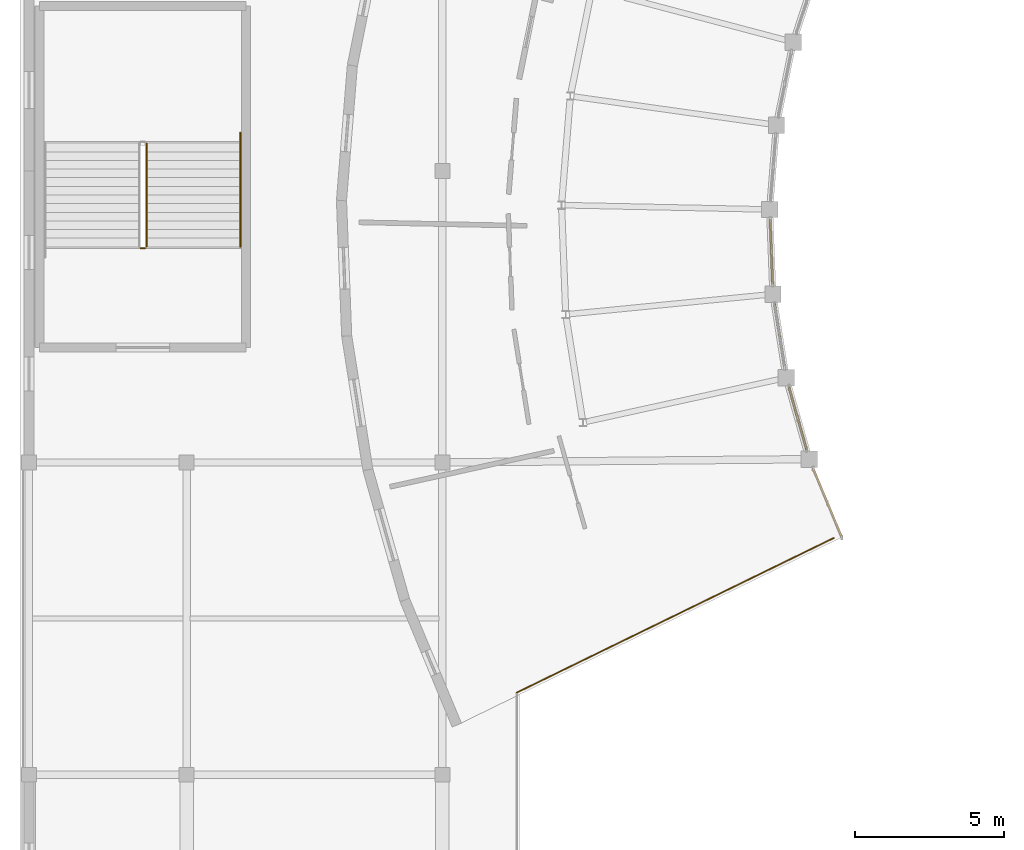
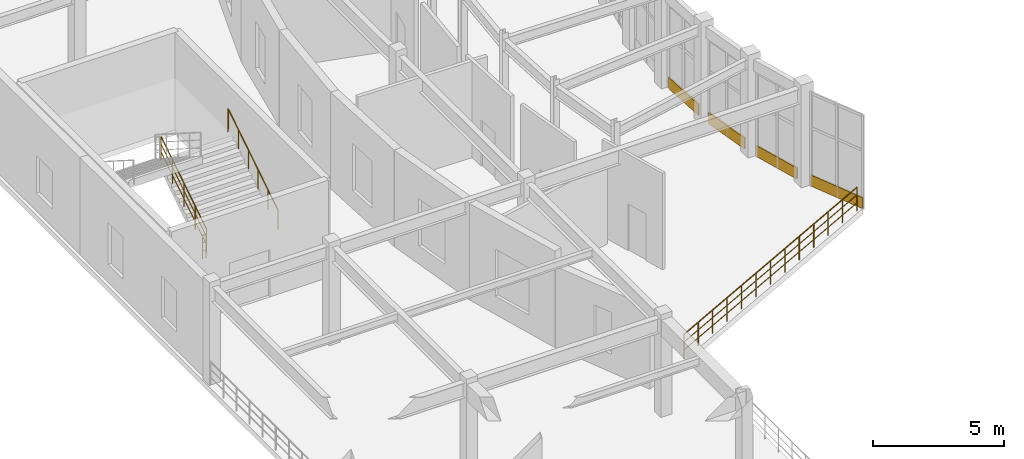
# One storey, part 132 of 144: 4 coverings, 4 railings.
"""IFC4 building model written with IfcOpenShell, lengths in metres."""

from ifc_helpers import new_model, si_unit, direction, frame, origin, origin_2d, place, context, subcontext, project, spatial, rectangle, circle, extrude, material, layer, layer_set, type_object, element, save


model = new_model("IFC4")

# Units and contexts
model_context = context("Model", 3, precision=1e-05, world=origin(), true_north=direction((0.0, 1.0)))
body_context = subcontext(model_context, "Body", "Model", "MODEL_VIEW")
ifc_project = project(units=[si_unit("LENGTHUNIT", "METRE"), si_unit("AREAUNIT", "SQUARE_METRE"), si_unit("VOLUMEUNIT", "CUBIC_METRE"), si_unit("PLANEANGLEUNIT", "RADIAN"), si_unit("MASSUNIT", "GRAM", prefix="KILO")], contexts=[model_context])

# Site, building, storey
site_placement = place(None, origin())
site = spatial("IfcSite", under=ifc_project, at=site_placement, CompositionType="ELEMENT")
building_placement = place(site_placement, origin())
building = spatial("IfcBuilding", under=site, at=building_placement, Name="Cinderbank Siding Concert Hall", CompositionType="ELEMENT")
storey_placement = place(building_placement, frame((0.0, 0.0, 5.39990234375)))
storey = spatial("IfcBuildingStorey", under=building, at=storey_placement, Name="L02", CompositionType="ELEMENT", Elevation=5.39990234375)

# Coverings
ifc_material_1 = material(Name="Spotted gum glulam timber GL18 (42 MPa)", Category="wood")
ifc_layer = layer(ifc_material_1, 0.06494140625)
ifc_layer_set = layer_set([ifc_layer], Name="Spotted gum glulam timber GL18 (42 MPa)")
covering_type = type_object("IfcCoveringType", Name="CL-01 Spotted Gum Spandrel Band 520mm", PredefinedType="CLADDING", material=ifc_layer_set)
for number, where, z_axis, x_axis, name in (
    (1, (32.059814453125, 67.080322265625, 0.0), (0.0, 0.0, 1.0), (0.038360270672, -0.99926397395, 0.0), "CW-L02-119 Spotted Gum Spandrel Band"),
    (2, (32.337158203125, 64.252197265625, 0.0), (0.0, 0.0, 1.0), (0.156464041899, -0.987683655627, 0.0), "CW-L02-120 Spotted Gum Spandrel Band"),
    (3, (32.947509765625, 61.476806640625, 0.0), (0.0, 0.0, 1.0), (0.272275215509, -0.962219417295, 0.0), "CW-L02-121 Spotted Gum Spandrel Band"),
):
    element("IfcCovering", number, at=place(storey_placement, frame(where, z_axis=z_axis, x_axis=x_axis)), inside=storey, type_object=covering_type, Name=name, PredefinedType="CLADDING", context=body_context, shape_type="SweptSolid", body=[
        extrude(rectangle(XDim=2.166748046875, YDim=0.06494140625, at=origin_2d()), origin(), (0.0, 0.0, 1.0), 0.52001953125),
    ])
covering_placement = place(storey_placement, frame((33.947265625, 58.63623046875, 0.0), z_axis=(0.0, 0.0, 1.0), x_axis=(0.384273632219, -0.923219245673, 0.0)))
element("IfcCovering", 4, at=covering_placement, inside=storey, type_object=covering_type, Name="CW-L02-122 Spotted Gum Spandrel Band", PredefinedType="CLADDING", context=body_context, shape_type="SweptSolid", body=[
    extrude(rectangle(XDim=2.506591796875, YDim=0.06494140625, at=origin_2d()), origin(), (0.0, 0.0, 1.0), 0.52001953125),
])

# Railings
ifc_material_2 = material(Name="Structural steel AS/NZS 3679.1 Grade 350 (340 MPa)", Category="steel")
railing_type_1 = type_object("IfcRailingType", Name="GD-01 Terrace & Perimeter Guardrail 1120mm", PredefinedType="GUARDRAIL", material=ifc_material_2)
railing_1_placement = place(storey_placement, frame((34.15625, 57.45751953125, 0.0)))
element("IfcRailing", 5, at=railing_1_placement, inside=storey, type_object=railing_type_1, Name="L02 Perimeter Guardrail #48", PredefinedType="GUARDRAIL", context=body_context, shape_type="SweptSolid", body=[
    extrude(circle(Radius=0.02392578125, at=origin_2d()), frame((0.0, 0.0, 1.09619140625), z_axis=(-0.898790411729, -0.438378598683, 0.0), x_axis=(0.438378598683, -0.898790411729, 0.0)), (0.0, 0.0, 1.0), 11.856201171875),
    extrude(circle(Radius=0.01611328125, at=origin_2d()), frame((0.0, 0.0, 0.36962890625), z_axis=(-0.898790411729, -0.438378598683, 0.0), x_axis=(0.438378598683, -0.898790411729, 0.0)), (0.0, 0.0, 1.0), 11.856201171875),
    extrude(circle(Radius=0.01611328125, at=origin_2d()), frame((0.0, 0.0, 0.7392578125), z_axis=(-0.898790411729, -0.438378598683, 0.0), x_axis=(0.438378598683, -0.898790411729, 0.0)), (0.0, 0.0, 1.0), 11.856201171875),
    extrude(circle(Radius=0.02099609375, at=origin_2d()), origin(), (0.0, 0.0, 1.0), 1.072021484375),
    extrude(circle(Radius=0.02099609375, at=origin_2d()), frame((-0.887939453125, -0.43310546875, 0.0)), (0.0, 0.0, 1.0), 1.072021484375),
    extrude(circle(Radius=0.02099609375, at=origin_2d()), frame((-1.776123046875, -0.8662109375, 0.0)), (0.0, 0.0, 1.0), 1.072021484375),
    extrude(circle(Radius=0.02099609375, at=origin_2d()), frame((-2.6640625, -1.29931640625, 0.0)), (0.0, 0.0, 1.0), 1.072021484375),
    extrude(circle(Radius=0.02099609375, at=origin_2d()), frame((-3.552001953125, -1.732421875, 0.0)), (0.0, 0.0, 1.0), 1.072021484375),
    extrude(circle(Radius=0.02099609375, at=origin_2d()), frame((-4.440185546875, -2.16552734375, 0.0)), (0.0, 0.0, 1.0), 1.072021484375),
    extrude(circle(Radius=0.02099609375, at=origin_2d()), frame((-5.328125, -2.5986328125, 0.0)), (0.0, 0.0, 1.0), 1.072021484375),
    extrude(circle(Radius=0.02099609375, at=origin_2d()), frame((-6.216064453125, -3.031982421875, 0.0)), (0.0, 0.0, 1.0), 1.072021484375),
    extrude(circle(Radius=0.02099609375, at=origin_2d()), frame((-7.104248046875, -3.465087890625, 0.0)), (0.0, 0.0, 1.0), 1.072021484375),
    extrude(circle(Radius=0.02099609375, at=origin_2d()), frame((-7.9921875, -3.898193359375, 0.0)), (0.0, 0.0, 1.0), 1.072021484375),
    extrude(circle(Radius=0.02099609375, at=origin_2d()), frame((-8.880126953125, -4.331298828125, 0.0)), (0.0, 0.0, 1.0), 1.072021484375),
    extrude(circle(Radius=0.02099609375, at=origin_2d()), frame((-9.768310546875, -4.764404296875, 0.0)), (0.0, 0.0, 1.0), 1.072021484375),
    extrude(circle(Radius=0.02099609375, at=origin_2d()), frame((-10.65625, -5.197509765625, 0.0)), (0.0, 0.0, 1.0), 1.072021484375),
])
railing_type_2 = type_object("IfcRailingType", Name="STG-01 Stair Well Guardrail 1120mm", PredefinedType="GUARDRAIL", material=ifc_material_2)
railing_2_placement = place(storey_placement, frame((11.06005859375, 67.25, 0.184814453125)))
element("IfcRailing", 6, at=railing_2_placement, inside=storey, type_object=railing_type_2, Name="L02 ST-09 stair guard 1", PredefinedType="GUARDRAIL", context=body_context, shape_type="SweptSolid", body=[
    extrude(circle(Radius=0.02392578125, at=origin_2d()), frame((0.0, 0.0, 1.09619140625), z_axis=(0.0, 0.843573748531, 0.537013343214), x_axis=(-1.0, 0.0, 0.0)), (0.0, 0.0, 1.0), 4.125244140625),
    extrude(circle(Radius=0.01611328125, at=origin_2d()), frame((0.0, 0.0, 0.36962890625), z_axis=(0.0, 0.843573748531, 0.537013343214), x_axis=(-1.0, 0.0, 0.0)), (0.0, 0.0, 1.0), 4.125244140625),
    extrude(circle(Radius=0.01611328125, at=origin_2d()), frame((0.0, 0.0, 0.7392578125), z_axis=(0.0, 0.843573748531, 0.537013343214), x_axis=(-1.0, 0.0, 0.0)), (0.0, 0.0, 1.0), 4.125244140625),
    extrude(circle(Radius=0.02099609375, at=origin_2d()), origin(), (0.0, 0.0, 1.0), 1.072021484375),
    extrude(circle(Radius=0.02099609375, at=origin_2d()), frame((0.0, 0.8701171875, 0.5537109375)), (0.0, 0.0, 1.0), 1.072021484375),
    extrude(circle(Radius=0.02099609375, at=origin_2d()), frame((0.0, 1.739990234375, 1.107666015625)), (0.0, 0.0, 1.0), 1.072021484375),
    extrude(circle(Radius=0.02099609375, at=origin_2d()), frame((0.0, 2.60986328125, 1.66162109375)), (0.0, 0.0, 1.0), 1.072021484375),
    extrude(circle(Radius=0.02099609375, at=origin_2d()), frame((0.0, 3.47998046875, 2.21533203125)), (0.0, 0.0, 1.0), 1.072021484375),
])
railing_3_placement = place(storey_placement, frame((11.010009765625, 67.199951171875, 0.0)))
element("IfcRailing", 7, at=railing_3_placement, inside=storey, type_object=railing_type_2, Name="L02 ST-09 stair guard 4", PredefinedType="GUARDRAIL", context=body_context, shape_type="SweptSolid", body=[
    extrude(circle(Radius=0.02392578125, at=origin_2d()), frame((0.0, 0.0, 1.09619140625), z_axis=(-1.0, 0.0, 0.0), x_axis=(0.0, -1.0, 0.0)), (0.0, 0.0, 1.0), 0.159912109375),
    extrude(circle(Radius=0.01611328125, at=origin_2d()), frame((0.0, 0.0, 0.36962890625), z_axis=(-1.0, 0.0, 0.0), x_axis=(0.0, -1.0, 0.0)), (0.0, 0.0, 1.0), 0.159912109375),
    extrude(circle(Radius=0.01611328125, at=origin_2d()), frame((0.0, 0.0, 0.7392578125), z_axis=(-1.0, 0.0, 0.0), x_axis=(0.0, -1.0, 0.0)), (0.0, 0.0, 1.0), 0.159912109375),
    extrude(circle(Radius=0.02099609375, at=origin_2d()), origin(), (0.0, 0.0, 1.0), 1.072021484375),
    extrude(circle(Radius=0.02099609375, at=origin_2d()), frame((-0.159912109375, 0.0, 0.0)), (0.0, 0.0, 1.0), 1.072021484375),
])
railing_type_3 = type_object("IfcRailingType", Name="STH-01 Stair Pitch Handrail 920mm", PredefinedType="HANDRAIL", material=ifc_material_2)
railing_4_placement = place(storey_placement, frame((14.2099609375, 67.25, 0.184814453125)))
element("IfcRailing", 8, at=railing_4_placement, inside=storey, type_object=railing_type_3, Name="L02 ST-09 stair handrail 1", PredefinedType="HANDRAIL", context=body_context, shape_type="SweptSolid", body=[
    extrude(circle(Radius=0.02392578125, at=origin_2d()), frame((0.0, 0.0, 0.89599609375), z_axis=(0.0, 0.843580498726, 0.537002739443), x_axis=(-1.0, 0.0, 0.0)), (0.0, 0.0, 1.0), 4.468994140625),
    extrude(circle(Radius=0.02392578125, at=origin_2d()), frame((0.0, 3.77001953125, 3.2958984375), z_axis=(0.0, 1.0, 0.0), x_axis=(-1.0, 0.0, 0.0)), (0.0, 0.0, 1.0), 0.06005859375),
    extrude(circle(Radius=0.02099609375, at=origin_2d()), origin(), (0.0, 0.0, 1.0), 0.871826171875),
    extrude(circle(Radius=0.02099609375, at=origin_2d()), frame((0.0, 0.75390625, 0.47998046875)), (0.0, 0.0, 1.0), 0.871826171875),
    extrude(circle(Radius=0.02099609375, at=origin_2d()), frame((0.0, 1.508056640625, 0.9599609375)), (0.0, 0.0, 1.0), 0.871826171875),
    extrude(circle(Radius=0.02099609375, at=origin_2d()), frame((0.0, 2.261962890625, 1.43994140625)), (0.0, 0.0, 1.0), 0.871826171875),
    extrude(circle(Radius=0.02099609375, at=origin_2d()), frame((0.0, 3.01611328125, 1.919921875)), (0.0, 0.0, 1.0), 0.871826171875),
    extrude(circle(Radius=0.02099609375, at=origin_2d()), frame((0.0, 3.77001953125, 2.39990234375)), (0.0, 0.0, 1.0), 0.871826171875),
    extrude(circle(Radius=0.02099609375, at=origin_2d()), frame((0.0, 3.830078125, 2.21533203125)), (0.0, 0.0, 1.0), 1.056396484375),
])

save(model, "model.ifc")
